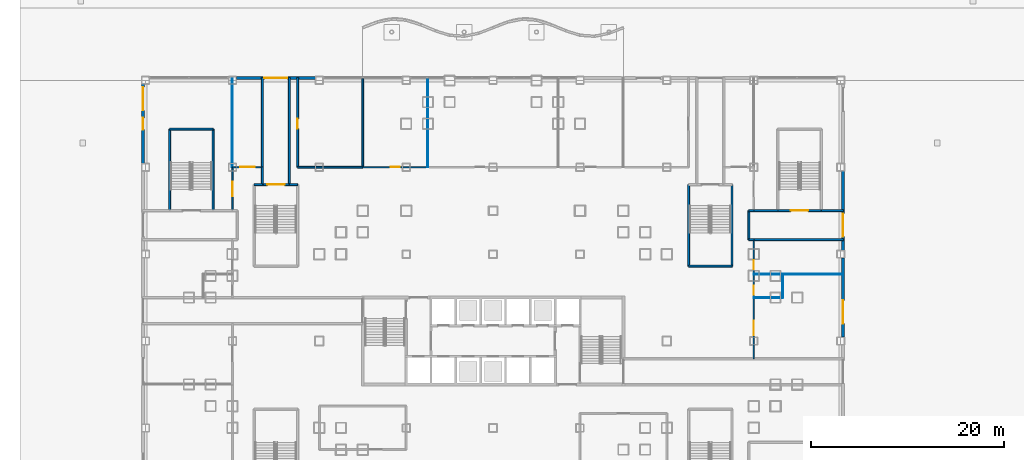
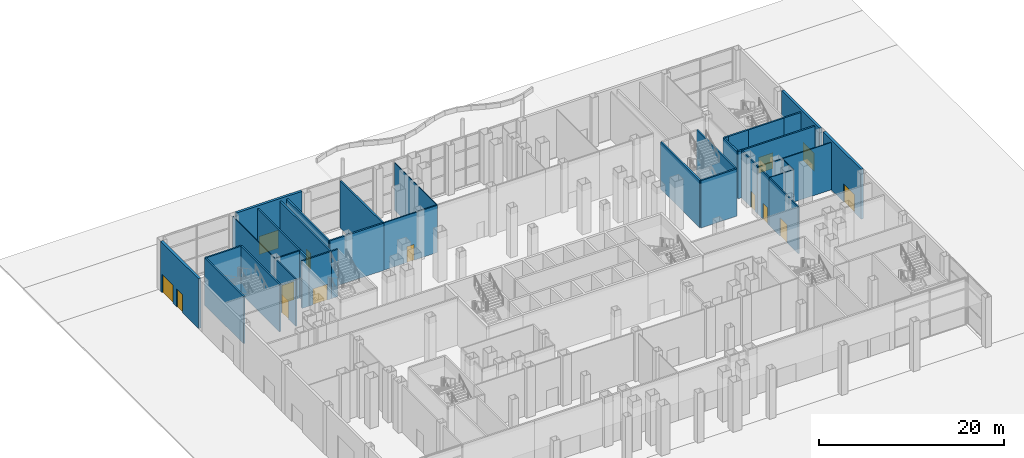
# One storey, part 16 of 38: 38 walls, 14 doors, 14 openings.
"""IFC4 building model written with IfcOpenShell, lengths in metres."""

from ifc_helpers import new_model, si_unit, direction, frame, frame_2d, origin, place, context, subcontext, project, spatial, rectangle, extrude, material, layer, layer_set, type_object, element, fill, save


model = new_model("IFC4")

# Units and contexts
model_context = context("Model", 3, precision=1e-05, world=origin(), true_north=direction((0.0, 1.0)))
body_context = subcontext(model_context, "Body", "Model", "MODEL_VIEW")
ifc_project = project(units=[si_unit("LENGTHUNIT", "METRE"), si_unit("AREAUNIT", "SQUARE_METRE"), si_unit("VOLUMEUNIT", "CUBIC_METRE"), si_unit("PLANEANGLEUNIT", "RADIAN"), si_unit("MASSUNIT", "GRAM", prefix="KILO")], contexts=[model_context])

# Site, building, storey
site_placement = place(None, origin())
site = spatial("IfcSite", under=ifc_project, at=site_placement, CompositionType="ELEMENT")
building_placement = place(site_placement, origin())
building = spatial("IfcBuilding", under=site, at=building_placement, Name="Caravel Reach Hotel and Residences", CompositionType="ELEMENT")
storey_placement = place(building_placement, origin())
storey = spatial("IfcBuildingStorey", under=building, at=storey_placement, Name="L00", CompositionType="ELEMENT", Elevation=0.0)

# Walls
ifc_material_1 = material(Name="Autoclaved aerated block wall")
ifc_layer_1 = layer(ifc_material_1, 0.199951171875)
ifc_layer_set_1 = layer_set([ifc_layer_1], Name="Compartment wall 200 mm EI 120")
wall_type_1 = type_object("IfcWallType", Name="Compartment wall 200 mm EI 120", PredefinedType="PARTITIONING", material=ifc_layer_set_1)
wall_1_placement = place(storey_placement, frame((58.0, 37.5, 0.0), z_axis=(0.0, 0.0, 1.0), x_axis=(1.0, 0.0, 0.0)))
element("IfcWall", 1, at=wall_1_placement, inside=storey, type_object=wall_type_1, Name="L00 wall w059", PredefinedType="PARTITIONING", context=body_context, shape_type="SweptSolid", body=[
    extrude(rectangle(XDim=0.5, YDim=0.199951171875, at=frame_2d((0.25, 0.0))), origin(), (0.0, 0.0, 1.0), 6.25),
])
wall_2_placement = place(storey_placement, frame((58.5, 37.5, 0.0), z_axis=(0.0, 0.0, 1.0), x_axis=(1.0, 0.0, 0.0)))
element("IfcWall", 2, at=wall_2_placement, inside=storey, type_object=wall_type_1, Name="L00 wall w060", PredefinedType="PARTITIONING", context=body_context, shape_type="SweptSolid", body=[
    extrude(rectangle(XDim=9.2900390625, YDim=0.199951171875, at=frame_2d((4.64501953125, 0.0))), origin(), (0.0, 0.0, 1.0), 6.25),
])
wall_3_placement = place(storey_placement, frame((58.0, 40.5, 0.0), z_axis=(0.0, 0.0, 1.0), x_axis=(1.0, 0.0, 0.0)))
element("IfcWall", 3, at=wall_3_placement, inside=storey, type_object=wall_type_1, Name="L00 wall w066", PredefinedType="PARTITIONING", context=body_context, shape_type="SweptSolid", body=[
    extrude(rectangle(XDim=0.5, YDim=0.199951171875, at=frame_2d((0.25, 0.0))), origin(), (0.0, 0.0, 1.0), 6.25),
])
wall_4_placement = place(storey_placement, frame((58.5, 40.5, 0.0), z_axis=(0.0, 0.0, 1.0), x_axis=(1.0, 0.0, 0.0)))
element("IfcWall", 4, at=wall_4_placement, inside=storey, type_object=wall_type_1, Name="L00 wall w067", PredefinedType="PARTITIONING", context=body_context, shape_type="SweptSolid", body=[
    extrude(rectangle(XDim=2.5, YDim=0.199951171875, at=frame_2d((1.25, 0.0))), origin(), (0.0, 0.0, 1.0), 6.25),
])
wall_5_placement = place(storey_placement, frame((65.5, 40.5, 0.0), z_axis=(0.0, 0.0, 1.0), x_axis=(1.0, 0.0, 0.0)))
element("IfcWall", 5, at=wall_5_placement, inside=storey, type_object=wall_type_1, Name="L00 wall w068", PredefinedType="PARTITIONING", context=body_context, shape_type="SweptSolid", body=[
    extrude(rectangle(XDim=2.2900390625, YDim=0.199951171875, at=frame_2d((1.14501953125, 0.0))), origin(), (0.0, 0.0, 1.0), 6.25),
])
wall_6_placement = place(storey_placement, frame((11.25, 45.0, 0.0), z_axis=(0.0, 0.0, 1.0), x_axis=(1.0, 0.0, 0.0)))
element("IfcWall", 6, at=wall_6_placement, inside=storey, type_object=wall_type_1, Name="L00 wall w069", PredefinedType="PARTITIONING", context=body_context, shape_type="SweptSolid", body=[
    extrude(rectangle(XDim=6.75, YDim=0.199951171875, at=frame_2d((3.375, 0.0))), origin(), (0.0, 0.0, 1.0), 6.25),
])
wall_7_placement = place(storey_placement, frame((10.39990234375, 43.199951171875, 0.0), z_axis=(0.0, 0.0, 1.0), x_axis=(0.0, 1.0, 0.0)))
element("IfcWall", 7, at=wall_7_placement, inside=storey, type_object=wall_type_1, Name="L00 wall w070", PredefinedType="PARTITIONING", context=body_context, shape_type="SweptSolid", body=[
    extrude(rectangle(XDim=11.090087890625, YDim=0.199951171875, at=frame_2d((5.544921875, 0.0))), origin(), (0.0, 0.0, 1.0), 6.25),
])

# Wall, opening, door
wall_8_placement = place(storey_placement, frame((11.25, 45.0, 0.0), z_axis=(0.0, 0.0, 1.0), x_axis=(0.0, 1.0, 0.0)))
wall_8 = element("IfcWall", 8, at=wall_8_placement, inside=storey, type_object=wall_type_1, Name="L00 wall w072", PredefinedType="PARTITIONING", context=body_context, shape_type="SweptSolid", body=[
    extrude(rectangle(XDim=9.2900390625, YDim=0.199951171875, at=frame_2d((4.64501953125, 0.0))), origin(), (0.0, 0.0, 1.0), 6.25),
])
opening_1_placement = place(wall_8_placement, frame((4.0, 0.0, 0.0)))
opening_1 = element("IfcOpeningElement", 9, at=opening_1_placement, cuts=wall_8, Name="Opening D00-040", PredefinedType="OPENING", context=body_context, shape_type="SweptSolid", body=[
    extrude(rectangle(XDim=1.0, YDim=2.10009765625, at=frame_2d((0.5, 1.050048828125))), frame((0.0, 0.10986328125, 0.0), z_axis=(0.0, -1.0, 0.0), x_axis=(1.0, 0.0, 0.0)), (0.0, 0.0, 1.0), 0.219970703125),
])
ifc_material_2 = material(Name="Steel fire door leaf", Category="steel")
door_type_1 = type_object("IfcDoorType", Name="Fire door 1000 x 2100 EI 60", OperationType="SINGLE_SWING_LEFT", PredefinedType="DOOR", material=ifc_material_2)
door_1_placement = place(opening_1_placement, origin())
door_1 = element("IfcDoor", 10, at=door_1_placement, inside=storey, type_object=door_type_1, Name="door D00-040", OperationType="SINGLE_SWING_LEFT", OverallHeight=2.10009765625, OverallWidth=1.0, PredefinedType="DOOR", context=body_context, shape_type="SweptSolid", body=[
    extrude(rectangle(XDim=1.0, YDim=2.10009765625, at=frame_2d((0.5, 1.050048828125))), frame((0.0, 0.02490234375, 0.0), z_axis=(0.0, -1.0, 0.0), x_axis=(1.0, 0.0, 0.0)), (0.0, 0.0, 1.0), 0.050048828125),
])
fill(opening_1, door_1)

# Walls
wall_9_placement = place(storey_placement, frame((18.0, 45.0, 0.0), z_axis=(0.0, 0.0, 1.0), x_axis=(0.0, 1.0, 0.0)))
element("IfcWall", 11, at=wall_9_placement, inside=storey, type_object=wall_type_1, Name="L00 wall w073", PredefinedType="PARTITIONING", context=body_context, shape_type="SweptSolid", body=[
    extrude(rectangle(XDim=9.18994140625, YDim=0.199951171875, at=frame_2d((4.594970703125, 0.0))), origin(), (0.0, 0.0, 1.0), 6.25),
])
wall_10_placement = place(storey_placement, frame((58.0, 37.5, 0.0), z_axis=(0.0, 0.0, 1.0), x_axis=(0.0, 1.0, 0.0)))
element("IfcWall", 12, at=wall_10_placement, inside=storey, type_object=wall_type_1, Name="L00 wall w080", PredefinedType="PARTITIONING", context=body_context, shape_type="SweptSolid", body=[
    extrude(rectangle(XDim=3.0, YDim=0.199951171875, at=frame_2d((1.5, 0.0))), origin(), (0.0, 0.0, 1.0), 6.25),
])
wall_11_placement = place(storey_placement, frame((7.60009765625, 43.199951171875, 0.0), z_axis=(0.0, 0.0, 1.0), x_axis=(0.0, 1.0, 0.0)))
element("IfcWall", 13, at=wall_11_placement, inside=storey, type_object=wall_type_1, Name="L00 wall w082", PredefinedType="PARTITIONING", context=body_context, shape_type="SweptSolid", body=[
    extrude(rectangle(XDim=1.800048828125, YDim=0.199951171875, at=frame_2d((0.89990234375, 0.0))), origin(), (0.0, 0.0, 1.0), 6.25),
])
wall_12_placement = place(storey_placement, frame((7.60009765625, 45.0, 0.0), z_axis=(0.0, 0.0, 1.0), x_axis=(0.0, 1.0, 0.0)))
element("IfcWall", 14, at=wall_12_placement, inside=storey, type_object=wall_type_1, Name="L00 wall w083", PredefinedType="PARTITIONING", context=body_context, shape_type="SweptSolid", body=[
    extrude(rectangle(XDim=9.2900390625, YDim=0.199951171875, at=frame_2d((4.64501953125, 0.0))), origin(), (0.0, 0.0, 1.0), 6.25),
])

# Wall, opening, door
ifc_material_3 = material(Name="Gypsum board on steel stud, fire-rated", Category="steel")
ifc_layer_2 = layer(ifc_material_3, 0.14990234375)
ifc_layer_set_2 = layer_set([ifc_layer_2], Name="Corridor wall 150 mm EI 60")
wall_type_2 = type_object("IfcWallType", Name="Corridor wall 150 mm EI 60", PredefinedType="PARTITIONING", material=ifc_layer_set_2)
wall_13_placement = place(storey_placement, frame((4.5, 45.0, 0.0), z_axis=(0.0, 0.0, 1.0), x_axis=(1.0, 0.0, 0.0)))
wall_13 = element("IfcWall", 15, at=wall_13_placement, inside=storey, type_object=wall_type_2, Name="L00 wall w012", PredefinedType="PARTITIONING", context=body_context, shape_type="SweptSolid", body=[
    extrude(rectangle(XDim=3.10009765625, YDim=0.14990234375, at=frame_2d((1.550048828125, 0.0))), origin(), (0.0, 0.0, 1.0), 6.25),
])
opening_2_placement = place(wall_13_placement, frame((0.800048828125, 0.0, 0.0)))
opening_2 = element("IfcOpeningElement", 16, at=opening_2_placement, cuts=wall_13, Name="Opening D00-039", PredefinedType="OPENING", context=body_context, shape_type="SweptSolid", body=[
    extrude(rectangle(XDim=1.5, YDim=2.39990234375, at=frame_2d((0.75, 1.199951171875))), frame((0.0, 0.0849609375, 0.0), z_axis=(0.0, -1.0, 0.0), x_axis=(1.0, 0.0, 0.0)), (0.0, 0.0, 1.0), 0.169921875),
])
ifc_material_4 = material(Name="Steel fire door leaf", Category="steel")
door_type_2 = type_object("IfcDoorType", Name="Service door pair 1500 x 2400 EI 60", OperationType="DOUBLE_DOOR_SINGLE_SWING", PredefinedType="DOOR", material=ifc_material_4)
door_2_placement = place(opening_2_placement, origin())
door_2 = element("IfcDoor", 17, at=door_2_placement, inside=storey, type_object=door_type_2, Name="door D00-039", OperationType="DOUBLE_DOOR_SINGLE_SWING", OverallHeight=2.39990234375, OverallWidth=1.5, PredefinedType="DOOR", context=body_context, shape_type="SweptSolid", body=[
    extrude(rectangle(XDim=1.5, YDim=2.39990234375, at=frame_2d((0.75, 1.199951171875))), frame((0.0, 0.02490234375, 0.0), z_axis=(0.0, -1.0, 0.0), x_axis=(1.0, 0.0, 0.0)), (0.0, 0.0, 1.0), 0.050048828125),
])
fill(opening_2, door_2)

wall_14_placement = place(storey_placement, frame((18.0, 45.0, 0.0), z_axis=(0.0, 0.0, 1.0), x_axis=(1.0, 0.0, 0.0)))
wall_14 = element("IfcWall", 18, at=wall_14_placement, inside=storey, type_object=wall_type_2, Name="L00 wall w013", PredefinedType="PARTITIONING", context=body_context, shape_type="SweptSolid", body=[
    extrude(rectangle(XDim=6.75, YDim=0.14990234375, at=frame_2d((3.375, 0.0))), origin(), (0.0, 0.0, 1.0), 6.25),
])
opening_3_placement = place(wall_14_placement, frame((2.925048828125, 0.0, 0.0)))
opening_3 = element("IfcOpeningElement", 19, at=opening_3_placement, cuts=wall_14, Name="Opening D00-041", PredefinedType="OPENING", context=body_context, shape_type="SweptSolid", body=[
    extrude(rectangle(XDim=0.89990234375, YDim=2.10009765625, at=frame_2d((0.449951171875, 1.050048828125))), frame((0.0, 0.0849609375, 0.0), z_axis=(0.0, -1.0, 0.0), x_axis=(1.0, 0.0, 0.0)), (0.0, 0.0, 1.0), 0.169921875),
])
ifc_material_5 = material(Name="Timber and steel door leaf", Category="steel")
door_type_3 = type_object("IfcDoorType", Name="Door 900 x 2100 timber", OperationType="SINGLE_SWING_LEFT", PredefinedType="DOOR", material=ifc_material_5)
door_3_placement = place(opening_3_placement, origin())
door_3 = element("IfcDoor", 20, at=door_3_placement, inside=storey, type_object=door_type_3, Name="door D00-041", OperationType="SINGLE_SWING_RIGHT", OverallHeight=2.10009765625, OverallWidth=0.89990234375, PredefinedType="DOOR", context=body_context, shape_type="SweptSolid", body=[
    extrude(rectangle(XDim=0.89990234375, YDim=2.10009765625, at=frame_2d((0.449951171875, 1.050048828125))), frame((0.0, 0.02490234375, 0.0), z_axis=(0.0, -1.0, 0.0), x_axis=(1.0, 0.0, 0.0)), (0.0, 0.0, 1.0), 0.050048828125),
])
fill(opening_3, door_3)

wall_15_placement = place(storey_placement, frame((4.5, 40.5, 0.0), z_axis=(0.0, 0.0, 1.0), x_axis=(0.0, 1.0, 0.0)))
wall_15 = element("IfcWall", 21, at=wall_15_placement, inside=storey, type_object=wall_type_2, Name="L00 wall w024", PredefinedType="PARTITIONING", context=body_context, shape_type="SweptSolid", body=[
    extrude(rectangle(XDim=4.5, YDim=0.14990234375, at=frame_2d((2.25, 0.0))), origin(), (0.0, 0.0, 1.0), 6.25),
])
opening_4_placement = place(wall_15_placement, frame((1.5, 0.0, 0.0)))
opening_4 = element("IfcOpeningElement", 22, at=opening_4_placement, cuts=wall_15, Name="Opening D00-032", PredefinedType="OPENING", context=body_context, shape_type="SweptSolid", body=[
    extrude(rectangle(XDim=1.5, YDim=2.39990234375, at=frame_2d((0.75, 1.199951171875))), frame((0.0, 0.0849609375, 0.0), z_axis=(0.0, -1.0, 0.0), x_axis=(1.0, 0.0, 0.0)), (0.0, 0.0, 1.0), 0.169921875),
])
ifc_material_6 = material(Name="Timber and steel door leaf", Category="steel")
door_type_4 = type_object("IfcDoorType", Name="Shopfront door 1500 x 2400", OperationType="DOUBLE_DOOR_SINGLE_SWING", PredefinedType="DOOR", material=ifc_material_6)
door_4_placement = place(opening_4_placement, origin())
door_4 = element("IfcDoor", 23, at=door_4_placement, inside=storey, type_object=door_type_4, Name="door D00-032", OperationType="DOUBLE_DOOR_SINGLE_SWING", OverallHeight=2.39990234375, OverallWidth=1.5, PredefinedType="DOOR", context=body_context, shape_type="SweptSolid", body=[
    extrude(rectangle(XDim=1.5, YDim=2.39990234375, at=frame_2d((0.75, 1.199951171875))), frame((0.0, 0.02490234375, 0.0), z_axis=(0.0, -1.0, 0.0), x_axis=(1.0, 0.0, 0.0)), (0.0, 0.0, 1.0), 0.050048828125),
])
fill(opening_4, door_4)

wall_16_placement = place(storey_placement, frame((58.5, 25.14990234375, 0.0), z_axis=(0.0, 0.0, 1.0), x_axis=(0.0, 1.0, 0.0)))
wall_16 = element("IfcWall", 24, at=wall_16_placement, inside=storey, type_object=wall_type_2, Name="L00 wall w028", PredefinedType="PARTITIONING", context=body_context, shape_type="SweptSolid", body=[
    extrude(rectangle(XDim=6.35009765625, YDim=0.14990234375, at=frame_2d((3.175048828125, 0.0))), origin(), (0.0, 0.0, 1.0), 6.25),
])
opening_5_placement = place(wall_16_placement, frame((2.425048828125, 0.0, 0.0)))
opening_5 = element("IfcOpeningElement", 25, at=opening_5_placement, cuts=wall_16, Name="Opening D00-033", PredefinedType="OPENING", context=body_context, shape_type="SweptSolid", body=[
    extrude(rectangle(XDim=1.5, YDim=2.39990234375, at=frame_2d((0.75, 1.199951171875))), frame((0.0, 0.0849609375, 0.0), z_axis=(0.0, -1.0, 0.0), x_axis=(1.0, 0.0, 0.0)), (0.0, 0.0, 1.0), 0.169921875),
])
door_5_placement = place(opening_5_placement, origin())
door_5 = element("IfcDoor", 26, at=door_5_placement, inside=storey, type_object=door_type_4, Name="door D00-033", OperationType="DOUBLE_DOOR_SINGLE_SWING", OverallHeight=2.39990234375, OverallWidth=1.5, PredefinedType="DOOR", context=body_context, shape_type="SweptSolid", body=[
    extrude(rectangle(XDim=1.5, YDim=2.39990234375, at=frame_2d((0.75, 1.199951171875))), frame((0.0, 0.02490234375, 0.0), z_axis=(0.0, -1.0, 0.0), x_axis=(1.0, 0.0, 0.0)), (0.0, 0.0, 1.0), 0.050048828125),
])
fill(opening_5, door_5)

wall_17_placement = place(storey_placement, frame((58.5, 31.5, 0.0), z_axis=(0.0, 0.0, 1.0), x_axis=(0.0, 1.0, 0.0)))
wall_17 = element("IfcWall", 27, at=wall_17_placement, inside=storey, type_object=wall_type_2, Name="L00 wall w029", PredefinedType="PARTITIONING", context=body_context, shape_type="SweptSolid", body=[
    extrude(rectangle(XDim=2.39990234375, YDim=0.14990234375, at=frame_2d((1.199951171875, 0.0))), origin(), (0.0, 0.0, 1.0), 6.25),
])
opening_6_placement = place(wall_17_placement, frame((0.27490234375, 0.0, 0.0)))
opening_6 = element("IfcOpeningElement", 28, at=opening_6_placement, cuts=wall_17, Name="Opening D00-034", PredefinedType="OPENING", context=body_context, shape_type="SweptSolid", body=[
    extrude(rectangle(XDim=0.949951171875, YDim=2.10009765625, at=frame_2d((0.47509765625, 1.050048828125))), frame((0.0, 0.0849609375, 0.0), z_axis=(0.0, -1.0, 0.0), x_axis=(1.0, 0.0, 0.0)), (0.0, 0.0, 1.0), 0.169921875),
])
ifc_material_7 = material(Name="Timber and steel door leaf", Category="steel")
door_type_5 = type_object("IfcDoorType", Name="Accessible WC door 950 x 2100", OperationType="SINGLE_SWING_LEFT", PredefinedType="DOOR", material=ifc_material_7)
door_6_placement = place(opening_6_placement, origin())
door_6 = element("IfcDoor", 29, at=door_6_placement, inside=storey, type_object=door_type_5, Name="door D00-034", OperationType="SINGLE_SWING_LEFT", OverallHeight=2.10009765625, OverallWidth=0.949951171875, PredefinedType="DOOR", context=body_context, shape_type="SweptSolid", body=[
    extrude(rectangle(XDim=0.949951171875, YDim=2.10009765625, at=frame_2d((0.47509765625, 1.050048828125))), frame((0.0, 0.02490234375, 0.0), z_axis=(0.0, -1.0, 0.0), x_axis=(1.0, 0.0, 0.0)), (0.0, 0.0, 1.0), 0.050048828125),
])
fill(opening_6, door_6)

wall_18_placement = place(storey_placement, frame((58.5, 33.89990234375, 0.0), z_axis=(0.0, 0.0, 1.0), x_axis=(0.0, 1.0, 0.0)))
wall_18 = element("IfcWall", 30, at=wall_18_placement, inside=storey, type_object=wall_type_2, Name="L00 wall w030", PredefinedType="PARTITIONING", context=body_context, shape_type="SweptSolid", body=[
    extrude(rectangle(XDim=3.60009765625, YDim=0.14990234375, at=frame_2d((1.800048828125, 0.0))), origin(), (0.0, 0.0, 1.0), 6.25),
])
opening_7_placement = place(wall_18_placement, frame((0.550048828125, 0.0, 0.0)))
opening_7 = element("IfcOpeningElement", 31, at=opening_7_placement, cuts=wall_18, Name="Opening D00-035", PredefinedType="OPENING", context=body_context, shape_type="SweptSolid", body=[
    extrude(rectangle(XDim=0.89990234375, YDim=2.10009765625, at=frame_2d((0.449951171875, 1.050048828125))), frame((0.0, 0.0849609375, 0.0), z_axis=(0.0, -1.0, 0.0), x_axis=(1.0, 0.0, 0.0)), (0.0, 0.0, 1.0), 0.169921875),
])
door_7_placement = place(opening_7_placement, origin())
door_7 = element("IfcDoor", 32, at=door_7_placement, inside=storey, type_object=door_type_3, Name="door D00-035", OperationType="SINGLE_SWING_LEFT", OverallHeight=2.10009765625, OverallWidth=0.89990234375, PredefinedType="DOOR", context=body_context, shape_type="SweptSolid", body=[
    extrude(rectangle(XDim=0.89990234375, YDim=2.10009765625, at=frame_2d((0.449951171875, 1.050048828125))), frame((0.0, 0.02490234375, 0.0), z_axis=(0.0, -1.0, 0.0), x_axis=(1.0, 0.0, 0.0)), (0.0, 0.0, 1.0), 0.050048828125),
])
fill(opening_7, door_7)

ifc_material_8 = material(Name="Insulated wall, stone cladding", Category="masonry")
ifc_layer_3 = layer(ifc_material_8, 0.300048828125)
ifc_layer_set_3 = layer_set([ifc_layer_3], Name="EW2 Podium stone-clad wall")
wall_type_3 = type_object("IfcWallType", Name="EW2 Podium stone-clad wall", PredefinedType="SOLIDWALL", material=ifc_layer_set_3)
wall_19_placement = place(storey_placement, frame((67.75, 35.60009765625, 0.0), z_axis=(0.0, 0.0, 1.0), x_axis=(0.0, -1.0, 0.0)))
wall_19 = element("IfcWall", 33, at=wall_19_placement, inside=storey, type_object=wall_type_3, Name="External wall L00 E1.4", PredefinedType="SOLIDWALL", context=body_context, shape_type="SweptSolid", body=[
    extrude(rectangle(XDim=8.2001953125, YDim=0.300048828125, at=frame_2d((4.10009765625, 0.0))), origin(), (0.0, 0.0, 1.0), 6.60009765625),
])
opening_8_placement = place(wall_19_placement, frame((4.39990234375, 0.0, 0.0)))
opening_8 = element("IfcOpeningElement", 34, at=opening_8_placement, cuts=wall_19, Name="Opening D00-818", PredefinedType="OPENING", context=body_context, shape_type="SweptSolid", body=[
    extrude(rectangle(XDim=2.39990234375, YDim=2.39990234375, at=frame_2d((1.199951171875, 1.199951171875))), frame((0.0, 0.159912109375, 0.0), z_axis=(0.0, -1.0, 0.0), x_axis=(1.0, 0.0, 0.0)), (0.0, 0.0, 1.0), 0.320068359375),
])
ifc_material_9 = material(Name="Dark glazed door in black aluminium frame", Category="aluminium")
door_type_6 = type_object("IfcDoorType", Name="Entrance door 2400 x 2400", OperationType="DOUBLE_DOOR_SINGLE_SWING", PredefinedType="DOOR", material=ifc_material_9)
door_8_placement = place(opening_8_placement, origin())
door_8 = element("IfcDoor", 35, at=door_8_placement, inside=storey, type_object=door_type_6, Name="Door D00-818", OperationType="DOUBLE_DOOR_SINGLE_SWING", OverallHeight=2.39990234375, OverallWidth=2.39990234375, PredefinedType="DOOR", context=body_context, shape_type="SweptSolid", body=[
    extrude(rectangle(XDim=2.39990234375, YDim=2.39990234375, at=frame_2d((1.199951171875, 1.199951171875))), frame((0.0, 0.02490234375, 0.0), z_axis=(0.0, -1.0, 0.0), x_axis=(1.0, 0.0, 0.0)), (0.0, 0.0, 1.0), 0.050048828125),
])
fill(opening_8, door_8)

wall_20_placement = place(storey_placement, frame((67.75, 44.60009765625, 0.0), z_axis=(0.0, 0.0, 1.0), x_axis=(0.0, -1.0, 0.0)))
wall_20 = element("IfcWall", 36, at=wall_20_placement, inside=storey, type_object=wall_type_3, Name="External wall L00 E1.5", PredefinedType="SOLIDWALL", context=body_context, shape_type="SweptSolid", body=[
    extrude(rectangle(XDim=8.2001953125, YDim=0.300048828125, at=frame_2d((4.10009765625, 0.0))), origin(), (0.0, 0.0, 1.0), 6.60009765625),
])
opening_9_placement = place(wall_20_placement, frame((4.39990234375, 0.0, 0.0)))
opening_9 = element("IfcOpeningElement", 37, at=opening_9_placement, cuts=wall_20, Name="Opening D00-819", PredefinedType="OPENING", context=body_context, shape_type="SweptSolid", body=[
    extrude(rectangle(XDim=2.39990234375, YDim=2.39990234375, at=frame_2d((1.199951171875, 1.199951171875))), frame((0.0, 0.159912109375, 0.0), z_axis=(0.0, -1.0, 0.0), x_axis=(1.0, 0.0, 0.0)), (0.0, 0.0, 1.0), 0.320068359375),
])
door_9_placement = place(opening_9_placement, origin())
door_9 = element("IfcDoor", 38, at=door_9_placement, inside=storey, type_object=door_type_6, Name="Door D00-819", OperationType="DOUBLE_DOOR_SINGLE_SWING", OverallHeight=2.39990234375, OverallWidth=2.39990234375, PredefinedType="DOOR", context=body_context, shape_type="SweptSolid", body=[
    extrude(rectangle(XDim=2.39990234375, YDim=2.39990234375, at=frame_2d((1.199951171875, 1.199951171875))), frame((0.0, 0.02490234375, 0.0), z_axis=(0.0, -1.0, 0.0), x_axis=(1.0, 0.0, 0.0)), (0.0, 0.0, 1.0), 0.050048828125),
])
fill(opening_9, door_9)

wall_21_placement = place(storey_placement, frame((4.89990234375, 54.25, 0.0), z_axis=(0.0, 0.0, 1.0), x_axis=(1.0, 0.0, 0.0)))
wall_21 = element("IfcWall", 39, at=wall_21_placement, inside=storey, type_object=wall_type_3, Name="External wall L00 N2.9", PredefinedType="SOLIDWALL", context=body_context, shape_type="SweptSolid", body=[
    extrude(rectangle(XDim=8.2001953125, YDim=0.300048828125, at=frame_2d((4.10009765625, 0.0))), origin(), (0.0, 0.0, 1.0), 6.60009765625),
])
opening_10_placement = place(wall_21_placement, frame((2.89990234375, 0.0, 0.0)))
opening_10 = element("IfcOpeningElement", 40, at=opening_10_placement, cuts=wall_21, Name="Opening D00-823", PredefinedType="OPENING", context=body_context, shape_type="SweptSolid", body=[
    extrude(rectangle(XDim=2.39990234375, YDim=2.39990234375, at=frame_2d((1.199951171875, 1.199951171875))), frame((0.0, 0.159912109375, 0.0), z_axis=(0.0, -1.0, 0.0), x_axis=(1.0, 0.0, 0.0)), (0.0, 0.0, 1.0), 0.320068359375),
])
door_10_placement = place(opening_10_placement, origin())
door_10 = element("IfcDoor", 41, at=door_10_placement, inside=storey, type_object=door_type_6, Name="Door D00-823", OperationType="DOUBLE_DOOR_SINGLE_SWING", OverallHeight=2.39990234375, OverallWidth=2.39990234375, PredefinedType="DOOR", context=body_context, shape_type="SweptSolid", body=[
    extrude(rectangle(XDim=2.39990234375, YDim=2.39990234375, at=frame_2d((1.199951171875, 1.199951171875))), frame((0.0, 0.02490234375, 0.0), z_axis=(0.0, -1.0, 0.0), x_axis=(1.0, 0.0, 0.0)), (0.0, 0.0, 1.0), 0.050048828125),
])
fill(opening_10, door_10)

# Wall, openings, doors
wall_22_placement = place(storey_placement, frame((-4.75, 45.39990234375, 0.0), z_axis=(0.0, 0.0, 1.0), x_axis=(0.0, 1.0, 0.0)))
wall_22 = element("IfcWall", 42, at=wall_22_placement, inside=storey, type_object=wall_type_3, Name="External wall L00 W3.1", PredefinedType="SOLIDWALL", context=body_context, shape_type="SweptSolid", body=[
    extrude(rectangle(XDim=8.2001953125, YDim=0.300048828125, at=frame_2d((4.10009765625, 0.0))), origin(), (0.0, 0.0, 1.0), 6.60009765625),
])
opening_11_placement = place(wall_22_placement, frame((3.5, 0.0, 0.0)))
opening_11 = element("IfcOpeningElement", 43, at=opening_11_placement, cuts=wall_22, Name="Opening D00-824", PredefinedType="OPENING", context=body_context, shape_type="SweptSolid", body=[
    extrude(rectangle(XDim=1.199951171875, YDim=2.39990234375, at=frame_2d((0.60009765625, 1.199951171875))), frame((0.0, 0.159912109375, 0.0), z_axis=(0.0, -1.0, 0.0), x_axis=(1.0, 0.0, 0.0)), (0.0, 0.0, 1.0), 0.320068359375),
])
opening_12_placement = place(wall_22_placement, frame((5.5, 0.0, 0.0)))
opening_12 = element("IfcOpeningElement", 44, at=opening_12_placement, cuts=wall_22, Name="Opening D00-825", PredefinedType="OPENING", context=body_context, shape_type="SweptSolid", body=[
    extrude(rectangle(XDim=2.39990234375, YDim=2.39990234375, at=frame_2d((1.199951171875, 1.199951171875))), frame((0.0, 0.159912109375, 0.0), z_axis=(0.0, -1.0, 0.0), x_axis=(1.0, 0.0, 0.0)), (0.0, 0.0, 1.0), 0.320068359375),
])
door_11_placement = place(opening_12_placement, origin())
door_11 = element("IfcDoor", 45, at=door_11_placement, inside=storey, type_object=door_type_6, Name="Door D00-825", OperationType="DOUBLE_DOOR_SINGLE_SWING", OverallHeight=2.39990234375, OverallWidth=2.39990234375, PredefinedType="DOOR", context=body_context, shape_type="SweptSolid", body=[
    extrude(rectangle(XDim=2.39990234375, YDim=2.39990234375, at=frame_2d((1.199951171875, 1.199951171875))), frame((0.0, 0.02490234375, 0.0), z_axis=(0.0, -1.0, 0.0), x_axis=(1.0, 0.0, 0.0)), (0.0, 0.0, 1.0), 0.050048828125),
])
fill(opening_12, door_11)
ifc_material_10 = material(Name="Painted aluminium door leaf", Category="aluminium")
door_type_7 = type_object("IfcDoorType", Name="Service door 1200 x 2400", OperationType="SINGLE_SWING_LEFT", PredefinedType="DOOR", material=ifc_material_10)
door_12_placement = place(opening_11_placement, origin())
door_12 = element("IfcDoor", 46, at=door_12_placement, inside=storey, type_object=door_type_7, Name="Door D00-824", OperationType="SINGLE_SWING_LEFT", OverallHeight=2.39990234375, OverallWidth=1.199951171875, PredefinedType="DOOR", context=body_context, shape_type="SweptSolid", body=[
    extrude(rectangle(XDim=1.199951171875, YDim=2.39990234375, at=frame_2d((0.60009765625, 1.199951171875))), frame((0.0, 0.02490234375, 0.0), z_axis=(0.0, -1.0, 0.0), x_axis=(1.0, 0.0, 0.0)), (0.0, 0.0, 1.0), 0.050048828125),
])
fill(opening_11, door_12)

# Walls
ifc_material_11 = material(Name="Gypsum board on steel stud", Category="steel")
ifc_layer_4 = layer(ifc_material_11, 0.10009765625)
ifc_layer_set_4 = layer_set([ifc_layer_4], Name="Partition 100 mm")
wall_type_4 = type_object("IfcWallType", Name="Partition 100 mm", PredefinedType="PARTITIONING", material=ifc_layer_set_4)
wall_23_placement = place(storey_placement, frame((58.5, 31.5, 0.0), z_axis=(0.0, 0.0, 1.0), x_axis=(1.0, 0.0, 0.0)))
element("IfcWall", 47, at=wall_23_placement, inside=storey, type_object=wall_type_4, Name="L00 wall w034", PredefinedType="PARTITIONING", context=body_context, shape_type="SweptSolid", body=[
    extrude(rectangle(XDim=3.0, YDim=0.10009765625, at=frame_2d((1.5, 0.0))), origin(), (0.0, 0.0, 1.0), 6.25),
])
wall_24_placement = place(storey_placement, frame((61.5, 33.89990234375, 0.0), z_axis=(0.0, 0.0, 1.0), x_axis=(1.0, 0.0, 0.0)))
element("IfcWall", 48, at=wall_24_placement, inside=storey, type_object=wall_type_4, Name="L00 wall w036", PredefinedType="PARTITIONING", context=body_context, shape_type="SweptSolid", body=[
    extrude(rectangle(XDim=6.2900390625, YDim=0.10009765625, at=frame_2d((3.14501953125, 0.0))), origin(), (0.0, 0.0, 1.0), 6.25),
])
wall_25_placement = place(storey_placement, frame((58.5, 33.89990234375, 0.0), z_axis=(0.0, 0.0, 1.0), x_axis=(1.0, 0.0, 0.0)))
element("IfcWall", 49, at=wall_25_placement, inside=storey, type_object=wall_type_4, Name="L00 wall w037", PredefinedType="PARTITIONING", context=body_context, shape_type="SweptSolid", body=[
    extrude(rectangle(XDim=3.0, YDim=0.10009765625, at=frame_2d((1.5, 0.0))), origin(), (0.0, 0.0, 1.0), 6.25),
])
for number, where, z_axis, x_axis, name in (
    (50, (24.75, 45.0, 0.0), (0.0, 0.0, 1.0), (0.0, 1.0, 0.0), "L00 wall w039"),
    (51, (4.5, 45.0, 0.0), (0.0, 0.0, 1.0), (0.0, 1.0, 0.0), "L00 wall w042"),
):
    element("IfcWall", number, at=place(storey_placement, frame(where, z_axis=z_axis, x_axis=x_axis)), inside=storey, type_object=wall_type_4, Name=name, PredefinedType="PARTITIONING", context=body_context, shape_type="SweptSolid", body=[
        extrude(rectangle(XDim=9.18994140625, YDim=0.10009765625, at=frame_2d((4.594970703125, 0.0))), origin(), (0.0, 0.0, 1.0), 6.25),
    ])
wall_26_placement = place(storey_placement, frame((61.5, 31.5, 0.0), z_axis=(0.0, 0.0, 1.0), x_axis=(0.0, 1.0, 0.0)))
element("IfcWall", 52, at=wall_26_placement, inside=storey, type_object=wall_type_4, Name="L00 wall w045", PredefinedType="PARTITIONING", context=body_context, shape_type="SweptSolid", body=[
    extrude(rectangle(XDim=2.39990234375, YDim=0.10009765625, at=frame_2d((1.199951171875, 0.0))), origin(), (0.0, 0.0, 1.0), 6.25),
])
ifc_material_12 = material(Name="Concrete C60", Category="concrete")
ifc_layer_5 = layer(ifc_material_12, 0.199951171875)
ifc_layer_set_5 = layer_set([ifc_layer_5], Name="Stair enclosure wall 200 mm EI 120")
wall_type_5 = type_object("IfcWallType", Name="Stair enclosure wall 200 mm EI 120", PredefinedType="SHEAR", material=ifc_layer_set_5)
wall_27_placement = place(storey_placement, frame((51.75, 34.75, 0.0), z_axis=(0.0, 0.0, 1.0), x_axis=(1.0, 0.0, 0.0)))
element("IfcWall", 53, at=wall_27_placement, inside=storey, type_object=wall_type_5, Name="L00 wall w095", PredefinedType="SHEAR", context=body_context, shape_type="SweptSolid", body=[
    extrude(rectangle(XDim=4.5, YDim=0.199951171875, at=frame_2d((2.25, 0.0))), origin(), (0.0, 0.0, 1.0), 6.25),
])

# Wall, opening, door
wall_28_placement = place(storey_placement, frame((61.0, 40.5, 0.0), z_axis=(0.0, 0.0, 1.0), x_axis=(1.0, 0.0, 0.0)))
wall_28 = element("IfcWall", 54, at=wall_28_placement, inside=storey, type_object=wall_type_5, Name="L00 wall w097", PredefinedType="SHEAR", context=body_context, shape_type="SweptSolid", body=[
    extrude(rectangle(XDim=4.5, YDim=0.199951171875, at=frame_2d((2.25, 0.0))), origin(), (0.0, 0.0, 1.0), 6.25),
])
opening_13_placement = place(wall_28_placement, frame((1.35009765625, 0.0, 0.0)))
opening_13 = element("IfcOpeningElement", 55, at=opening_13_placement, cuts=wall_28, Name="Opening D00-026", PredefinedType="OPENING", context=body_context, shape_type="SweptSolid", body=[
    extrude(rectangle(XDim=1.800048828125, YDim=2.10009765625, at=frame_2d((0.89990234375, 1.050048828125))), frame((0.0, 0.10986328125, 0.0), z_axis=(0.0, -1.0, 0.0), x_axis=(1.0, 0.0, 0.0)), (0.0, 0.0, 1.0), 0.219970703125),
])
ifc_material_13 = material(Name="Steel fire door leaf", Category="steel")
door_type_8 = type_object("IfcDoorType", Name="Stair door pair 1800 x 2100 EI 90", OperationType="DOUBLE_DOOR_SINGLE_SWING", PredefinedType="DOOR", material=ifc_material_13)
door_13_placement = place(opening_13_placement, origin())
door_13 = element("IfcDoor", 56, at=door_13_placement, inside=storey, type_object=door_type_8, Name="door D00-026", OperationType="DOUBLE_DOOR_SINGLE_SWING", OverallHeight=2.10009765625, OverallWidth=1.800048828125, PredefinedType="DOOR", context=body_context, shape_type="SweptSolid", body=[
    extrude(rectangle(XDim=1.800048828125, YDim=2.10009765625, at=frame_2d((0.89990234375, 1.050048828125))), frame((0.0, 0.02490234375, 0.0), z_axis=(0.0, -1.0, 0.0), x_axis=(1.0, 0.0, 0.0)), (0.0, 0.0, 1.0), 0.050048828125),
])
fill(opening_13, door_13)

# Walls
for number, where, z_axis, x_axis, name in (
    (57, (6.75, 43.199951171875, 0.0), (0.0, 0.0, 1.0), (1.0, 0.0, 0.0), "L00 wall w098"),
    (58, (10.39990234375, 43.199951171875, 0.0), (0.0, 0.0, 1.0), (1.0, 0.0, 0.0), "L00 wall w099"),
):
    element("IfcWall", number, at=place(storey_placement, frame(where, z_axis=z_axis, x_axis=x_axis)), inside=storey, type_object=wall_type_5, Name=name, PredefinedType="SHEAR", context=body_context, shape_type="SweptSolid", body=[
        extrude(rectangle(XDim=0.85009765625, YDim=0.199951171875, at=frame_2d((0.425048828125, 0.0))), origin(), (0.0, 0.0, 1.0), 6.25),
    ])

# Wall, opening, door
wall_29_placement = place(storey_placement, frame((7.60009765625, 43.199951171875, 0.0), z_axis=(0.0, 0.0, 1.0), x_axis=(1.0, 0.0, 0.0)))
wall_29 = element("IfcWall", 59, at=wall_29_placement, inside=storey, type_object=wall_type_5, Name="L00 wall w100", PredefinedType="SHEAR", context=body_context, shape_type="SweptSolid", body=[
    extrude(rectangle(XDim=2.7998046875, YDim=0.199951171875, at=frame_2d((1.39990234375, 0.0))), origin(), (0.0, 0.0, 1.0), 6.25),
])
opening_14_placement = place(wall_29_placement, frame((0.5, 0.0, 0.0)))
opening_14 = element("IfcOpeningElement", 60, at=opening_14_placement, cuts=wall_29, Name="Opening D00-021", PredefinedType="OPENING", context=body_context, shape_type="SweptSolid", body=[
    extrude(rectangle(XDim=1.800048828125, YDim=2.10009765625, at=frame_2d((0.89990234375, 1.050048828125))), frame((0.0, 0.10986328125, 0.0), z_axis=(0.0, -1.0, 0.0), x_axis=(1.0, 0.0, 0.0)), (0.0, 0.0, 1.0), 0.219970703125),
])
door_14_placement = place(opening_14_placement, origin())
door_14 = element("IfcDoor", 61, at=door_14_placement, inside=storey, type_object=door_type_8, Name="door D00-021", OperationType="DOUBLE_DOOR_SINGLE_SWING", OverallHeight=2.10009765625, OverallWidth=1.800048828125, PredefinedType="DOOR", context=body_context, shape_type="SweptSolid", body=[
    extrude(rectangle(XDim=1.800048828125, YDim=2.10009765625, at=frame_2d((0.89990234375, 1.050048828125))), frame((0.0, 0.02490234375, 0.0), z_axis=(0.0, -1.0, 0.0), x_axis=(1.0, 0.0, 0.0)), (0.0, 0.0, 1.0), 0.050048828125),
])
fill(opening_14, door_14)

# Walls
wall_30_placement = place(storey_placement, frame((-2.0, 48.949951171875, 0.0), z_axis=(0.0, 0.0, 1.0), x_axis=(1.0, 0.0, 0.0)))
element("IfcWall", 62, at=wall_30_placement, inside=storey, type_object=wall_type_5, Name="L00 wall w104", PredefinedType="SHEAR", context=body_context, shape_type="SweptSolid", body=[
    extrude(rectangle(XDim=4.5, YDim=0.199951171875, at=frame_2d((2.25, 0.0))), origin(), (0.0, 0.0, 1.0), 6.25),
])
for number, where, z_axis, x_axis, name in (
    (63, (-2.0, 40.5, 0.0), (0.0, 0.0, 1.0), (0.0, 1.0, 0.0), "L00 wall w107"),
    (64, (2.5, 40.5, 0.0), (0.0, 0.0, 1.0), (0.0, 1.0, 0.0), "L00 wall w111"),
    (65, (51.75, 34.75, 0.0), (0.0, 0.0, 1.0), (0.0, 1.0, 0.0), "L00 wall w112"),
    (66, (56.25, 34.75, 0.0), (0.0, 0.0, 1.0), (0.0, 1.0, 0.0), "L00 wall w115"),
):
    element("IfcWall", number, at=place(storey_placement, frame(where, z_axis=z_axis, x_axis=x_axis)), inside=storey, type_object=wall_type_5, Name=name, PredefinedType="SHEAR", context=body_context, shape_type="SweptSolid", body=[
        extrude(rectangle(XDim=8.449951171875, YDim=0.199951171875, at=frame_2d((4.22509765625, 0.0))), origin(), (0.0, 0.0, 1.0), 6.25),
    ])

save(model, "model.ifc")
